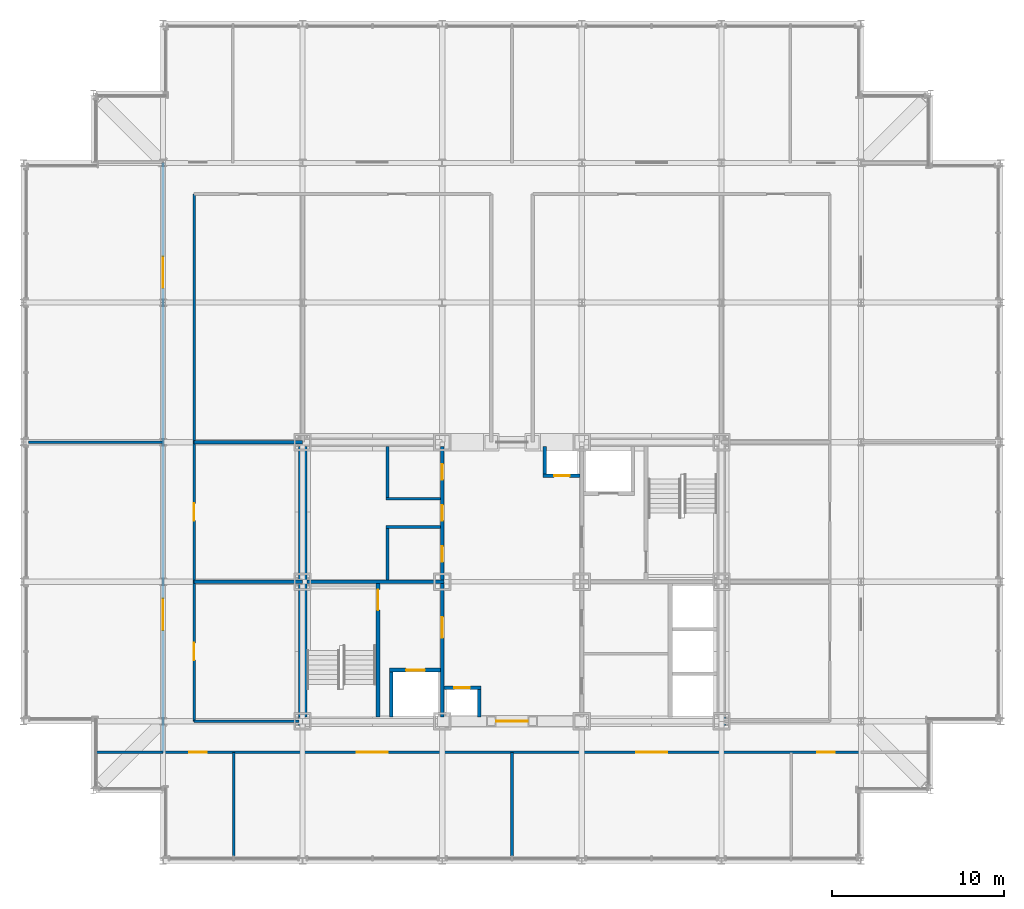
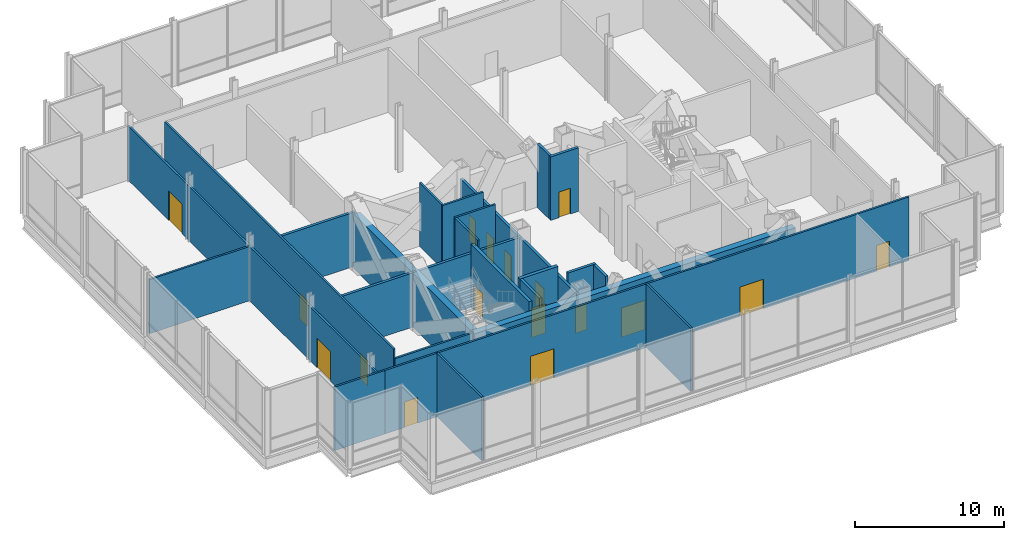
# One storey, part 18 of 21: 26 walls, 17 doors, 17 openings.
"""IFC4 building model written with IfcOpenShell, lengths in metres."""

from ifc_helpers import new_model, si_unit, direction, frame, frame_2d, origin, place, context, subcontext, project, spatial, rectangle, extrude, material, layer, layer_set, type_object, element, fill, save


model = new_model("IFC4")

# Units and contexts
model_context = context("Model", 3, precision=1e-05, world=origin(), true_north=direction((0.0, 1.0)))
body_context = subcontext(model_context, "Body", "Model", "MODEL_VIEW")
ifc_project = project(units=[si_unit("LENGTHUNIT", "METRE"), si_unit("AREAUNIT", "SQUARE_METRE"), si_unit("VOLUMEUNIT", "CUBIC_METRE"), si_unit("PLANEANGLEUNIT", "RADIAN"), si_unit("MASSUNIT", "GRAM", prefix="KILO")], contexts=[model_context])

# Site, building, storey
site_placement = place(None, origin())
site = spatial("IfcSite", under=ifc_project, at=site_placement, CompositionType="ELEMENT")
building_placement = place(site_placement, origin())
building = spatial("IfcBuilding", under=site, at=building_placement, Name="Kopane Lantern Tower", CompositionType="ELEMENT")
storey_placement = place(building_placement, frame((0.0, 0.0, 298.5)))
storey = spatial("IfcBuildingStorey", under=building, at=storey_placement, Name="L76", CompositionType="ELEMENT", Elevation=298.5)

# Wall, opening, door
ifc_material_1 = material(Name="Gypsum shaft wall EI 120", Category="gypsum")
ifc_layer_1 = layer(ifc_material_1, 0.5)
ifc_layer_set_1 = layer_set([ifc_layer_1], Name="CORE PERIMETER WALL 500 EI 120")
wall_type_1 = type_object("IfcWallType", Name="CORE PERIMETER WALL 500 EI 120", PredefinedType="SOLIDWALL", material=ifc_layer_set_1)
wall_1_placement = place(storey_placement, frame((15.949951171875, 24.300048828125, 0.0), z_axis=(0.0, 0.0, 1.0), x_axis=(1.0, 0.0, 0.0)))
wall_1 = element("IfcWall", 1, at=wall_1_placement, inside=storey, type_object=wall_type_1, Name="Core shaft wall L76 PS", PredefinedType="SOLIDWALL", context=body_context, shape_type="SweptSolid", body=[
    extrude(rectangle(XDim=24.800048828125, YDim=0.5, at=frame_2d((12.39990234375, 0.0))), origin(), (0.0, 0.0, 1.0), 4.427734375),
])
opening_1_placement = place(wall_1_placement, frame((11.5, 0.0, 0.0)))
opening_1 = element("IfcOpeningElement", 2, at=opening_1_placement, cuts=wall_1, Name="Opening 76.CE-S", PredefinedType="OPENING", context=body_context, shape_type="SweptSolid", body=[
    extrude(rectangle(XDim=1.800048828125, YDim=2.39990234375, at=frame_2d((0.89990234375, 1.199951171875))), frame((0.0, 0.260009765625, 0.0), z_axis=(0.0, -1.0, 0.0), x_axis=(1.0, 0.0, 0.0)), (0.0, 0.0, 1.0), 0.52001953125),
])
ifc_material_2 = material(Name="Steel door set", Category="steel")
door_type_1 = type_object("IfcDoorType", Name="CORE ENTRY DOOR 1800x2400 FD60S", OperationType="DOUBLE_DOOR_SINGLE_SWING", PredefinedType="DOOR", material=ifc_material_2)
door_1_placement = place(opening_1_placement, origin())
door_1 = element("IfcDoor", 3, at=door_1_placement, inside=storey, type_object=door_type_1, Name="Core entry door L76 south", OperationType="DOUBLE_DOOR_SINGLE_SWING", OverallHeight=2.39990234375, OverallWidth=1.800048828125, PredefinedType="DOOR", context=body_context, shape_type="SweptSolid", body=[
    extrude(rectangle(XDim=1.800048828125, YDim=2.39990234375, at=frame_2d((0.89990234375, 1.199951171875))), frame((0.0, 0.02490234375, 0.0), z_axis=(0.0, -1.0, 0.0), x_axis=(1.0, 0.0, 0.0)), (0.0, 0.0, 1.0), 0.050048828125),
])
fill(opening_1, door_1)

# Walls
wall_2_placement = place(storey_placement, frame((16.199951171875, 24.550048828125, 0.0), z_axis=(0.0, 0.0, 1.0), x_axis=(0.0, 1.0, 0.0)))
element("IfcWall", 4, at=wall_2_placement, inside=storey, type_object=wall_type_1, Name="Core shaft wall L76 PW", PredefinedType="SOLIDWALL", context=body_context, shape_type="SweptSolid", body=[
    extrude(rectangle(XDim=15.699951171875, YDim=0.5, at=frame_2d((7.85009765625, 0.0))), origin(), (0.0, 0.0, 1.0), 4.427734375),
])
ifc_material_3 = material(Name="Gypsum partition EI 60", Category="gypsum")
ifc_layer_2 = layer(ifc_material_3, 0.14990234375)
ifc_layer_set_2 = layer_set([ifc_layer_2], Name="CORE ROOM PARTITION 150 EI 60")
wall_type_2 = type_object("IfcWallType", Name="CORE ROOM PARTITION 150 EI 60", PredefinedType="PARTITIONING", material=ifc_layer_set_2)
for number, where, z_axis, x_axis, name in (
    (5, (21.050048828125, 35.574951171875, 0.0), (0.0, 0.0, 1.0), (1.0, 0.0, 0.0), "Core room partition L76 WW1"),
    (6, (21.050048828125, 37.22509765625, 0.0), (0.0, 0.0, 1.0), (1.0, 0.0, 0.0), "Core room partition L76 WW2"),
):
    element("IfcWall", number, at=place(storey_placement, frame(where, z_axis=z_axis, x_axis=x_axis)), inside=storey, type_object=wall_type_2, Name=name, PredefinedType="PARTITIONING", context=body_context, shape_type="SweptSolid", body=[
        extrude(rectangle(XDim=3.14990234375, YDim=0.14990234375, at=frame_2d((1.574951171875, 0.0))), origin(), (0.0, 0.0, 1.0), 5.18994140625),
    ])
wall_3_placement = place(storey_placement, frame((21.125, 32.5, 0.0), z_axis=(0.0, 0.0, 1.0), x_axis=(0.0, 1.0, 0.0)))
element("IfcWall", 7, at=wall_3_placement, inside=storey, type_object=wall_type_2, Name="Core room partition L76 WWB0", PredefinedType="PARTITIONING", context=body_context, shape_type="SweptSolid", body=[
    extrude(rectangle(XDim=3.0, YDim=0.14990234375, at=frame_2d((1.5, 0.0))), origin(), (0.0, 0.0, 1.0), 5.18994140625),
])
wall_4_placement = place(storey_placement, frame((21.125, 37.300048828125, 0.0), z_axis=(0.0, 0.0, 1.0), x_axis=(0.0, 1.0, 0.0)))
element("IfcWall", 8, at=wall_4_placement, inside=storey, type_object=wall_type_2, Name="Core room partition L76 WWB1", PredefinedType="PARTITIONING", context=body_context, shape_type="SweptSolid", body=[
    extrude(rectangle(XDim=2.949951171875, YDim=0.14990234375, at=frame_2d((1.47509765625, 0.0))), origin(), (0.0, 0.0, 1.0), 5.18994140625),
])

# Wall, openings, doors
ifc_material_4 = material(Name="Gypsum partition EI 60", Category="gypsum")
ifc_layer_3 = layer(ifc_material_4, 0.199951171875)
ifc_layer_set_3 = layer_set([ifc_layer_3], Name="CORE ROOM WALL 200 EI 60")
wall_type_3 = type_object("IfcWallType", Name="CORE ROOM WALL 200 EI 60", PredefinedType="PARTITIONING", material=ifc_layer_set_3)
wall_5_placement = place(storey_placement, frame((24.300048828125, 32.5, 0.0), z_axis=(0.0, 0.0, 1.0), x_axis=(0.0, 1.0, 0.0)))
wall_5 = element("IfcWall", 9, at=wall_5_placement, inside=storey, type_object=wall_type_3, Name="Core room wall L76 XW", PredefinedType="PARTITIONING", context=body_context, shape_type="SweptSolid", body=[
    extrude(rectangle(XDim=7.75, YDim=0.199951171875, at=frame_2d((3.875, 0.0))), origin(), (0.0, 0.0, 1.0), 4.427734375),
])
opening_2_placement = place(wall_5_placement, frame((1.050048828125, 0.0, 0.0)))
opening_2 = element("IfcOpeningElement", 10, at=opening_2_placement, cuts=wall_5, Name="Opening 76.C30", PredefinedType="OPENING", context=body_context, shape_type="SweptSolid", body=[
    extrude(rectangle(XDim=0.89990234375, YDim=2.10009765625, at=frame_2d((0.449951171875, 1.050048828125))), frame((0.0, 0.10986328125, 0.0), z_axis=(0.0, -1.0, 0.0), x_axis=(1.0, 0.0, 0.0)), (0.0, 0.0, 1.0), 0.219970703125),
])
opening_3_placement = place(wall_5_placement, frame((3.449951171875, 0.0, 0.0)))
opening_3 = element("IfcOpeningElement", 11, at=opening_3_placement, cuts=wall_5, Name="Opening 76.C31", PredefinedType="OPENING", context=body_context, shape_type="SweptSolid", body=[
    extrude(rectangle(XDim=0.89990234375, YDim=2.10009765625, at=frame_2d((0.449951171875, 1.050048828125))), frame((0.0, 0.10986328125, 0.0), z_axis=(0.0, -1.0, 0.0), x_axis=(1.0, 0.0, 0.0)), (0.0, 0.0, 1.0), 0.219970703125),
])
opening_4_placement = place(wall_5_placement, frame((5.824951171875, 0.0, 0.0)))
opening_4 = element("IfcOpeningElement", 12, at=opening_4_placement, cuts=wall_5, Name="Opening 76.C32", PredefinedType="OPENING", context=body_context, shape_type="SweptSolid", body=[
    extrude(rectangle(XDim=0.89990234375, YDim=2.10009765625, at=frame_2d((0.449951171875, 1.050048828125))), frame((0.0, 0.10986328125, 0.0), z_axis=(0.0, -1.0, 0.0), x_axis=(1.0, 0.0, 0.0)), (0.0, 0.0, 1.0), 0.219970703125),
])
ifc_material_5 = material(Name="Steel door set", Category="steel")
door_type_2 = type_object("IfcDoorType", Name="CORE ROOM DOOR 900x2100 FD60", OperationType="SINGLE_SWING_LEFT", PredefinedType="DOOR", material=ifc_material_5)
door_2_placement = place(opening_2_placement, origin())
door_2 = element("IfcDoor", 13, at=door_2_placement, inside=storey, type_object=door_type_2, Name="Door Electrical room L76", OperationType="SINGLE_SWING_LEFT", OverallHeight=2.10009765625, OverallWidth=0.89990234375, PredefinedType="DOOR", context=body_context, shape_type="SweptSolid", body=[
    extrude(rectangle(XDim=0.89990234375, YDim=2.10009765625, at=frame_2d((0.449951171875, 1.050048828125))), frame((0.0, 0.02490234375, 0.0), z_axis=(0.0, -1.0, 0.0), x_axis=(1.0, 0.0, 0.0)), (0.0, 0.0, 1.0), 0.050048828125),
])
fill(opening_2, door_2)
door_3_placement = place(opening_3_placement, origin())
door_3 = element("IfcDoor", 14, at=door_3_placement, inside=storey, type_object=door_type_2, Name="Door Water tank room L76", OperationType="SINGLE_SWING_RIGHT", OverallHeight=2.10009765625, OverallWidth=0.89990234375, PredefinedType="DOOR", context=body_context, shape_type="SweptSolid", body=[
    extrude(rectangle(XDim=0.89990234375, YDim=2.10009765625, at=frame_2d((0.449951171875, 1.050048828125))), frame((0.0, 0.02490234375, 0.0), z_axis=(0.0, -1.0, 0.0), x_axis=(1.0, 0.0, 0.0)), (0.0, 0.0, 1.0), 0.050048828125),
])
fill(opening_3, door_3)
door_4_placement = place(opening_4_placement, origin())
door_4 = element("IfcDoor", 15, at=door_4_placement, inside=storey, type_object=door_type_2, Name="Door Pump room L76", OperationType="SINGLE_SWING_LEFT", OverallHeight=2.10009765625, OverallWidth=0.89990234375, PredefinedType="DOOR", context=body_context, shape_type="SweptSolid", body=[
    extrude(rectangle(XDim=0.89990234375, YDim=2.10009765625, at=frame_2d((0.449951171875, 1.050048828125))), frame((0.0, 0.02490234375, 0.0), z_axis=(0.0, -1.0, 0.0), x_axis=(1.0, 0.0, 0.0)), (0.0, 0.0, 1.0), 0.050048828125),
])
fill(opening_4, door_4)

# Wall, opening, door
ifc_material_6 = material(Name="Gypsum shaft wall EI 120", Category="gypsum")
ifc_layer_4 = layer(ifc_material_6, 0.25)
ifc_layer_set_4 = layer_set([ifc_layer_4], Name="CORE SHAFT WALL 250 EI 120")
wall_type_4 = type_object("IfcWallType", Name="CORE SHAFT WALL 250 EI 120", PredefinedType="SOLIDWALL", material=ifc_layer_set_4)
wall_6_placement = place(storey_placement, frame((20.574951171875, 24.550048828125, 0.0), z_axis=(0.0, 0.0, 1.0), x_axis=(0.0, 1.0, 0.0)))
wall_6 = element("IfcWall", 16, at=wall_6_placement, inside=storey, type_object=wall_type_4, Name="Core shaft wall L76 XST1", PredefinedType="SOLIDWALL", context=body_context, shape_type="SweptSolid", body=[
    extrude(rectangle(XDim=7.75, YDim=0.25, at=frame_2d((3.875, 0.0))), origin(), (0.0, 0.0, 1.0), 5.18994140625),
])
opening_5_placement = place(wall_6_placement, frame((6.199951171875, 0.0, 0.0)))
opening_5 = element("IfcOpeningElement", 17, at=opening_5_placement, cuts=wall_6, Name="Opening 76.SD1", PredefinedType="OPENING", context=body_context, shape_type="SweptSolid", body=[
    extrude(rectangle(XDim=1.199951171875, YDim=2.10009765625, at=frame_2d((0.60009765625, 1.050048828125))), frame((0.0, 0.135009765625, 0.0), z_axis=(0.0, -1.0, 0.0), x_axis=(1.0, 0.0, 0.0)), (0.0, 0.0, 1.0), 0.27001953125),
])
ifc_material_7 = material(Name="Steel door set", Category="steel")
door_type_3 = type_object("IfcDoorType", Name="STAIR DOOR 1200x2100 FD60S", OperationType="SINGLE_SWING_LEFT", PredefinedType="DOOR", material=ifc_material_7)
door_5_placement = place(opening_5_placement, origin())
door_5 = element("IfcDoor", 18, at=door_5_placement, inside=storey, type_object=door_type_3, Name="Stair door ST1 L76", OperationType="SINGLE_SWING_LEFT", OverallHeight=2.10009765625, OverallWidth=1.199951171875, PredefinedType="DOOR", context=body_context, shape_type="SweptSolid", body=[
    extrude(rectangle(XDim=1.199951171875, YDim=2.10009765625, at=frame_2d((0.60009765625, 1.050048828125))), frame((0.0, 0.02490234375, 0.0), z_axis=(0.0, -1.0, 0.0), x_axis=(1.0, 0.0, 0.0)), (0.0, 0.0, 1.0), 0.050048828125),
])
fill(opening_5, door_5)

wall_7_placement = place(storey_placement, frame((21.25, 27.27490234375, 0.0), z_axis=(0.0, 0.0, 1.0), x_axis=(1.0, 0.0, 0.0)))
wall_7 = element("IfcWall", 19, at=wall_7_placement, inside=storey, type_object=wall_type_4, Name="Core shaft wall L76 YLF1", PredefinedType="SOLIDWALL", context=body_context, shape_type="SweptSolid", body=[
    extrude(rectangle(XDim=2.949951171875, YDim=0.25, at=frame_2d((1.47509765625, 0.0))), origin(), (0.0, 0.0, 1.0), 5.18994140625),
])
opening_6_placement = place(wall_7_placement, frame((0.949951171875, 0.0, 0.0)))
opening_6 = element("IfcOpeningElement", 20, at=opening_6_placement, cuts=wall_7, Name="Opening 76.LD-LF1", PredefinedType="OPENING", context=body_context, shape_type="SweptSolid", body=[
    extrude(rectangle(XDim=1.10009765625, YDim=2.39990234375, at=frame_2d((0.550048828125, 1.199951171875))), frame((0.0, 0.135009765625, 0.0), z_axis=(0.0, -1.0, 0.0), x_axis=(1.0, 0.0, 0.0)), (0.0, 0.0, 1.0), 0.27001953125),
])
ifc_material_8 = material(Name="Steel door set", Category="steel")
door_type_4 = type_object("IfcDoorType", Name="LIFT LANDING DOOR 1100x2400 FD60", OperationType="DOUBLE_DOOR_SLIDING", PredefinedType="DOOR", material=ifc_material_8)
door_6_placement = place(opening_6_placement, origin())
door_6 = element("IfcDoor", 21, at=door_6_placement, inside=storey, type_object=door_type_4, Name="Landing door LF1 L76", OperationType="DOUBLE_DOOR_SLIDING", OverallHeight=2.39990234375, OverallWidth=1.10009765625, PredefinedType="DOOR", context=body_context, shape_type="SweptSolid", body=[
    extrude(rectangle(XDim=1.10009765625, YDim=2.39990234375, at=frame_2d((0.550048828125, 1.199951171875))), frame((0.0, 0.02490234375, 0.0), z_axis=(0.0, -1.0, 0.0), x_axis=(1.0, 0.0, 0.0)), (0.0, 0.0, 1.0), 0.050048828125),
])
fill(opening_6, door_6)

# Wall, openings, doors
ifc_material_9 = material(Name="Gypsum board on steel studs", Category="steel")
ifc_layer_5 = layer(ifc_material_9, 0.14990234375)
ifc_layer_set_5 = layer_set([ifc_layer_5], Name="CORRIDOR WALL 150 EI 60")
wall_type_5 = type_object("IfcWallType", Name="CORRIDOR WALL 150 EI 60", PredefinedType="PARTITIONING", material=ifc_layer_set_5)
wall_8_placement = place(storey_placement, frame((8.10009765625, 22.5, 0.0), z_axis=(0.0, 0.0, 1.0), x_axis=(1.0, 0.0, 0.0)))
wall_8 = element("IfcWall", 22, at=wall_8_placement, inside=storey, type_object=wall_type_5, Name="Corridor Wall 150 Ei 60 L76", PredefinedType="PARTITIONING", context=body_context, shape_type="SweptSolid", body=[
    extrude(rectangle(XDim=40.5, YDim=0.14990234375, at=frame_2d((20.25, 0.0))), origin(), (0.0, 0.0, 1.0), 5.18994140625),
])
opening_7_placement = place(wall_8_placement, frame((11.25, 0.0, 0.0)))
opening_7 = element("IfcOpeningElement", 23, at=opening_7_placement, cuts=wall_8, Name="Opening L76-009", PredefinedType="OPENING", context=body_context, shape_type="SweptSolid", body=[
    extrude(rectangle(XDim=1.800048828125, YDim=2.39990234375, at=frame_2d((0.89990234375, 1.199951171875))), frame((0.0, 0.0849609375, 0.0), z_axis=(0.0, -1.0, 0.0), x_axis=(1.0, 0.0, 0.0)), (0.0, 0.0, 1.0), 0.169921875),
])
opening_8_placement = place(wall_8_placement, frame((27.449951171875, 0.0, 0.0)))
opening_8 = element("IfcOpeningElement", 24, at=opening_8_placement, cuts=wall_8, Name="Opening L76-010", PredefinedType="OPENING", context=body_context, shape_type="SweptSolid", body=[
    extrude(rectangle(XDim=1.800048828125, YDim=2.39990234375, at=frame_2d((0.89990234375, 1.199951171875))), frame((0.0, 0.0849609375, 0.0), z_axis=(0.0, -1.0, 0.0), x_axis=(1.0, 0.0, 0.0)), (0.0, 0.0, 1.0), 0.169921875),
])
opening_9_placement = place(wall_8_placement, frame((1.52490234375, 0.0, 0.0)))
opening_9 = element("IfcOpeningElement", 25, at=opening_9_placement, cuts=wall_8, Name="Opening L76-017", PredefinedType="OPENING", context=body_context, shape_type="SweptSolid", body=[
    extrude(rectangle(XDim=1.0, YDim=2.10009765625, at=frame_2d((0.5, 1.050048828125))), frame((0.0, 0.0849609375, 0.0), z_axis=(0.0, -1.0, 0.0), x_axis=(1.0, 0.0, 0.0)), (0.0, 0.0, 1.0), 0.169921875),
])
opening_10_placement = place(wall_8_placement, frame((37.97509765625, 0.0, 0.0)))
opening_10 = element("IfcOpeningElement", 26, at=opening_10_placement, cuts=wall_8, Name="Opening L76-018", PredefinedType="OPENING", context=body_context, shape_type="SweptSolid", body=[
    extrude(rectangle(XDim=1.0, YDim=2.10009765625, at=frame_2d((0.5, 1.050048828125))), frame((0.0, 0.0849609375, 0.0), z_axis=(0.0, -1.0, 0.0), x_axis=(1.0, 0.0, 0.0)), (0.0, 0.0, 1.0), 0.169921875),
])
ifc_material_10 = material(Name="Steel door set", Category="steel")
door_type_5 = type_object("IfcDoorType", Name="DOOR D5 1000x2100 FD60", OperationType="SINGLE_SWING_LEFT", PredefinedType="DOOR", material=ifc_material_10)
door_7_placement = place(opening_9_placement, origin())
door_7 = element("IfcDoor", 27, at=door_7_placement, inside=storey, type_object=door_type_5, Name="Door L76-017", OperationType="SINGLE_SWING_LEFT", OverallHeight=2.10009765625, OverallWidth=1.0, PredefinedType="DOOR", context=body_context, shape_type="SweptSolid", body=[
    extrude(rectangle(XDim=1.0, YDim=2.10009765625, at=frame_2d((0.5, 1.050048828125))), frame((0.0, 0.02490234375, 0.0), z_axis=(0.0, -1.0, 0.0), x_axis=(1.0, 0.0, 0.0)), (0.0, 0.0, 1.0), 0.050048828125),
])
fill(opening_9, door_7)
door_8_placement = place(opening_10_placement, origin())
door_8 = element("IfcDoor", 28, at=door_8_placement, inside=storey, type_object=door_type_5, Name="Door L76-018", OperationType="SINGLE_SWING_RIGHT", OverallHeight=2.10009765625, OverallWidth=1.0, PredefinedType="DOOR", context=body_context, shape_type="SweptSolid", body=[
    extrude(rectangle(XDim=1.0, YDim=2.10009765625, at=frame_2d((0.5, 1.050048828125))), frame((0.0, 0.02490234375, 0.0), z_axis=(0.0, -1.0, 0.0), x_axis=(1.0, 0.0, 0.0)), (0.0, 0.0, 1.0), 0.050048828125),
])
fill(opening_10, door_8)
ifc_material_11 = material(Name="Steel door set", Category="steel")
door_type_6 = type_object("IfcDoorType", Name="DOOR D8 1800x2400 FD120", OperationType="SINGLE_SWING_LEFT", PredefinedType="DOOR", material=ifc_material_11)
door_9_placement = place(opening_7_placement, origin())
door_9 = element("IfcDoor", 29, at=door_9_placement, inside=storey, type_object=door_type_6, Name="Door L76-009", OperationType="DOUBLE_DOOR_SINGLE_SWING", OverallHeight=2.39990234375, OverallWidth=1.800048828125, PredefinedType="DOOR", context=body_context, shape_type="SweptSolid", body=[
    extrude(rectangle(XDim=1.800048828125, YDim=2.39990234375, at=frame_2d((0.89990234375, 1.199951171875))), frame((0.0, 0.02490234375, 0.0), z_axis=(0.0, -1.0, 0.0), x_axis=(1.0, 0.0, 0.0)), (0.0, 0.0, 1.0), 0.050048828125),
])
fill(opening_7, door_9)
door_10_placement = place(opening_8_placement, origin())
door_10 = element("IfcDoor", 30, at=door_10_placement, inside=storey, type_object=door_type_6, Name="Door L76-010", OperationType="DOUBLE_DOOR_SINGLE_SWING", OverallHeight=2.39990234375, OverallWidth=1.800048828125, PredefinedType="DOOR", context=body_context, shape_type="SweptSolid", body=[
    extrude(rectangle(XDim=1.800048828125, YDim=2.39990234375, at=frame_2d((0.89990234375, 1.199951171875))), frame((0.0, 0.02490234375, 0.0), z_axis=(0.0, -1.0, 0.0), x_axis=(1.0, 0.0, 0.0)), (0.0, 0.0, 1.0), 0.050048828125),
])
fill(opening_8, door_10)

wall_9_placement = place(storey_placement, frame((8.10009765625, 22.5, 0.0), z_axis=(0.0, 0.0, 1.0), x_axis=(0.0, 1.0, 0.0)))
wall_9 = element("IfcWall", 31, at=wall_9_placement, inside=storey, type_object=wall_type_5, Name="Corridor Wall 150 Ei 60 L76", PredefinedType="PARTITIONING", context=body_context, shape_type="SweptSolid", body=[
    extrude(rectangle(XDim=34.239990234375, YDim=0.14990234375, at=frame_2d((17.1201171875, 0.0))), origin(), (0.0, 0.0, 1.0), 4.427734375),
])
opening_11_placement = place(wall_9_placement, frame((7.10009765625, 0.0, 0.0)))
opening_11 = element("IfcOpeningElement", 32, at=opening_11_placement, cuts=wall_9, Name="Opening L76-013", PredefinedType="OPENING", context=body_context, shape_type="SweptSolid", body=[
    extrude(rectangle(XDim=1.800048828125, YDim=2.39990234375, at=frame_2d((0.89990234375, 1.199951171875))), frame((0.0, 0.0849609375, 0.0), z_axis=(0.0, -1.0, 0.0), x_axis=(1.0, 0.0, 0.0)), (0.0, 0.0, 1.0), 0.169921875),
])
opening_12_placement = place(wall_9_placement, frame((26.949951171875, 0.0, 0.0)))
opening_12 = element("IfcOpeningElement", 33, at=opening_12_placement, cuts=wall_9, Name="Opening L76-014", PredefinedType="OPENING", context=body_context, shape_type="SweptSolid", body=[
    extrude(rectangle(XDim=1.800048828125, YDim=2.39990234375, at=frame_2d((0.89990234375, 1.199951171875))), frame((0.0, 0.0849609375, 0.0), z_axis=(0.0, -1.0, 0.0), x_axis=(1.0, 0.0, 0.0)), (0.0, 0.0, 1.0), 0.169921875),
])
door_11_placement = place(opening_11_placement, origin())
door_11 = element("IfcDoor", 34, at=door_11_placement, inside=storey, type_object=door_type_6, Name="Door L76-013", OperationType="DOUBLE_DOOR_SINGLE_SWING", OverallHeight=2.39990234375, OverallWidth=1.800048828125, PredefinedType="DOOR", context=body_context, shape_type="SweptSolid", body=[
    extrude(rectangle(XDim=1.800048828125, YDim=2.39990234375, at=frame_2d((0.89990234375, 1.199951171875))), frame((0.0, 0.02490234375, 0.0), z_axis=(0.0, -1.0, 0.0), x_axis=(1.0, 0.0, 0.0)), (0.0, 0.0, 1.0), 0.050048828125),
])
fill(opening_11, door_11)
door_12_placement = place(opening_12_placement, origin())
door_12 = element("IfcDoor", 35, at=door_12_placement, inside=storey, type_object=door_type_6, Name="Door L76-014", OperationType="DOUBLE_DOOR_SINGLE_SWING", OverallHeight=2.39990234375, OverallWidth=1.800048828125, PredefinedType="DOOR", context=body_context, shape_type="SweptSolid", body=[
    extrude(rectangle(XDim=1.800048828125, YDim=2.39990234375, at=frame_2d((0.89990234375, 1.199951171875))), frame((0.0, 0.02490234375, 0.0), z_axis=(0.0, -1.0, 0.0), x_axis=(1.0, 0.0, 0.0)), (0.0, 0.0, 1.0), 0.050048828125),
])
fill(opening_12, door_12)

wall_10_placement = place(storey_placement, frame((9.89990234375, 54.89990234375, 0.0), z_axis=(0.0, 0.0, 1.0), x_axis=(0.0, -1.0, 0.0)))
wall_10 = element("IfcWall", 36, at=wall_10_placement, inside=storey, type_object=wall_type_5, Name="Corridor Wall 150 Ei 60 L76", PredefinedType="PARTITIONING", context=body_context, shape_type="SweptSolid", body=[
    extrude(rectangle(XDim=30.599853515625, YDim=0.14990234375, at=frame_2d((15.2998046875, 0.0))), origin(), (0.0, 0.0, 1.0), 5.18994140625),
])
opening_13_placement = place(wall_10_placement, frame((26.050048828125, 0.0, 0.0)))
opening_13 = element("IfcOpeningElement", 37, at=opening_13_placement, cuts=wall_10, Name="Opening L76-001", PredefinedType="OPENING", context=body_context, shape_type="SweptSolid", body=[
    extrude(rectangle(XDim=1.0, YDim=2.10009765625, at=frame_2d((0.5, 1.050048828125))), frame((0.0, 0.0849609375, 0.0), z_axis=(0.0, -1.0, 0.0), x_axis=(1.0, 0.0, 0.0)), (0.0, 0.0, 1.0), 0.169921875),
])
opening_14_placement = place(wall_10_placement, frame((17.949951171875, 0.0, 0.0)))
opening_14 = element("IfcOpeningElement", 38, at=opening_14_placement, cuts=wall_10, Name="Opening L76-002", PredefinedType="OPENING", context=body_context, shape_type="SweptSolid", body=[
    extrude(rectangle(XDim=1.0, YDim=2.10009765625, at=frame_2d((0.5, 1.050048828125))), frame((0.0, 0.0849609375, 0.0), z_axis=(0.0, -1.0, 0.0), x_axis=(1.0, 0.0, 0.0)), (0.0, 0.0, 1.0), 0.169921875),
])
door_13_placement = place(opening_13_placement, origin())
door_13 = element("IfcDoor", 39, at=door_13_placement, inside=storey, type_object=door_type_5, Name="Door L76-001", OperationType="SINGLE_SWING_RIGHT", OverallHeight=2.10009765625, OverallWidth=1.0, PredefinedType="DOOR", context=body_context, shape_type="SweptSolid", body=[
    extrude(rectangle(XDim=1.0, YDim=2.10009765625, at=frame_2d((0.5, 1.050048828125))), frame((0.0, 0.02490234375, 0.0), z_axis=(0.0, -1.0, 0.0), x_axis=(1.0, 0.0, 0.0)), (0.0, 0.0, 1.0), 0.050048828125),
])
fill(opening_13, door_13)
door_14_placement = place(opening_14_placement, origin())
door_14 = element("IfcDoor", 40, at=door_14_placement, inside=storey, type_object=door_type_5, Name="Door L76-002", OperationType="SINGLE_SWING_LEFT", OverallHeight=2.10009765625, OverallWidth=1.0, PredefinedType="DOOR", context=body_context, shape_type="SweptSolid", body=[
    extrude(rectangle(XDim=1.0, YDim=2.10009765625, at=frame_2d((0.5, 1.050048828125))), frame((0.0, 0.02490234375, 0.0), z_axis=(0.0, -1.0, 0.0), x_axis=(1.0, 0.0, 0.0)), (0.0, 0.0, 1.0), 0.050048828125),
])
fill(opening_14, door_14)

# Walls
wall_11_placement = place(storey_placement, frame((9.89990234375, 24.300048828125, 0.0), z_axis=(0.0, 0.0, 1.0), x_axis=(1.0, 0.0, 0.0)))
element("IfcWall", 41, at=wall_11_placement, inside=storey, type_object=wall_type_5, Name="Corridor Wall 150 Ei 60 L76", PredefinedType="PARTITIONING", context=body_context, shape_type="SweptSolid", body=[
    extrude(rectangle(XDim=6.10009765625, YDim=0.14990234375, at=frame_2d((3.050048828125, 0.0))), origin(), (0.0, 0.0, 1.0), 4.427734375),
])
ifc_material_12 = material(Name="Gypsum board on steel studs", Category="steel")
ifc_layer_6 = layer(ifc_material_12, 0.14990234375)
ifc_layer_set_6 = layer_set([ifc_layer_6], Name="DEMISING WALL 150 EI 60")
wall_type_6 = type_object("IfcWallType", Name="DEMISING WALL 150 EI 60", PredefinedType="PARTITIONING", material=ifc_layer_set_6)
wall_12_placement = place(storey_placement, frame((28.35009765625, 22.5, 0.0), z_axis=(0.0, 0.0, 1.0), x_axis=(0.0, -1.0, 0.0)))
element("IfcWall", 42, at=wall_12_placement, inside=storey, type_object=wall_type_6, Name="Demising Wall 150 Ei 60 L76", PredefinedType="PARTITIONING", context=body_context, shape_type="SweptSolid", body=[
    extrude(rectangle(XDim=6.007080078125, YDim=0.14990234375, at=frame_2d((3.00341796875, 0.0))), origin(), (0.0, 0.0, 1.0), 5.18994140625),
])
wall_13_placement = place(storey_placement, frame((8.10009765625, 40.5, 0.0), z_axis=(0.0, 0.0, 1.0), x_axis=(-1.0, 0.0, 0.0)))
element("IfcWall", 43, at=wall_13_placement, inside=storey, type_object=wall_type_6, Name="Demising Wall 150 Ei 60 L76", PredefinedType="PARTITIONING", context=body_context, shape_type="SweptSolid", body=[
    extrude(rectangle(XDim=7.800048828125, YDim=0.14990234375, at=frame_2d((3.89990234375, 0.0))), origin(), (0.0, 0.0, 1.0), 4.427734375),
])
wall_14_placement = place(storey_placement, frame((4.222900390625, 22.5, 0.0), z_axis=(0.0, 0.0, 1.0), x_axis=(1.0, 0.0, 0.0)))
element("IfcWall", 44, at=wall_14_placement, inside=storey, type_object=wall_type_6, Name="Demising Wall 150 Ei 60 L76", PredefinedType="PARTITIONING", context=body_context, shape_type="SweptSolid", body=[
    extrude(rectangle(XDim=3.877197265625, YDim=0.14990234375, at=frame_2d((1.9384765625, 0.0))), origin(), (0.0, 0.0, 1.0), 5.18994140625),
])
wall_15_placement = place(storey_placement, frame((12.19775390625, 22.5, 0.0), z_axis=(0.0, 0.0, 1.0), x_axis=(0.0, -1.0, 0.0)))
element("IfcWall", 45, at=wall_15_placement, inside=storey, type_object=wall_type_6, Name="Demising Wall 150 Ei 60 L76", PredefinedType="PARTITIONING", context=body_context, shape_type="SweptSolid", body=[
    extrude(rectangle(XDim=6.007080078125, YDim=0.14990234375, at=frame_2d((3.00341796875, 0.0))), origin(), (0.0, 0.0, 1.0), 5.18994140625),
])
ifc_material_13 = material(Name="Concrete masonry", Category="masonry")
ifc_layer_7 = layer(ifc_material_13, 0.199951171875)
ifc_layer_set_7 = layer_set([ifc_layer_7], Name="PLANT ROOM WALL 200 EI 120")
wall_type_7 = type_object("IfcWallType", Name="PLANT ROOM WALL 200 EI 120", PredefinedType="SOLIDWALL", material=ifc_layer_set_7)
for number, where, z_axis, x_axis, name in (
    (46, (9.89990234375, 32.39990234375, 0.0), (0.0, 0.0, 1.0), (1.0, 0.0, 0.0), "Plant Room Wall 200 Ei 120 L76"),
    (47, (9.89990234375, 40.5, 0.0), (0.0, 0.0, 1.0), (1.0, 0.0, 0.0), "Plant Room Wall 200 Ei 120 L76"),
):
    element("IfcWall", number, at=place(storey_placement, frame(where, z_axis=z_axis, x_axis=x_axis)), inside=storey, type_object=wall_type_7, Name=name, PredefinedType="SOLIDWALL", context=body_context, shape_type="SweptSolid", body=[
        extrude(rectangle(XDim=6.300048828125, YDim=0.199951171875, at=frame_2d((3.14990234375, 0.0))), origin(), (0.0, 0.0, 1.0), 4.427734375),
    ])
ifc_material_14 = material(Name="Gypsum shaft wall EI 120", Category="gypsum")
ifc_layer_8 = layer(ifc_material_14, 0.199951171875)
ifc_layer_set_8 = layer_set([ifc_layer_8], Name="SHAFT WALL 200 EI 120")
wall_type_8 = type_object("IfcWallType", Name="SHAFT WALL 200 EI 120", PredefinedType="SOLIDWALL", material=ifc_layer_set_8)
wall_16_placement = place(storey_placement, frame((16.449951171875, 32.39990234375, 0.0), z_axis=(0.0, 0.0, 1.0), x_axis=(1.0, 0.0, 0.0)))
element("IfcWall", 48, at=wall_16_placement, inside=storey, type_object=wall_type_8, Name="Core shaft wall L76 Y324W", PredefinedType="SOLIDWALL", context=body_context, shape_type="SweptSolid", body=[
    extrude(rectangle(XDim=7.949951171875, YDim=0.199951171875, at=frame_2d((3.97509765625, 0.0))), origin(), (0.0, 0.0, 1.0), 4.427734375),
])

# Wall, opening, door
wall_17_placement = place(storey_placement, frame((24.300048828125, 24.550048828125, 0.0), z_axis=(0.0, 0.0, 1.0), x_axis=(0.0, 1.0, 0.0)))
wall_17 = element("IfcWall", 49, at=wall_17_placement, inside=storey, type_object=wall_type_8, Name="Core shaft wall L76 X243", PredefinedType="SOLIDWALL", context=body_context, shape_type="SweptSolid", body=[
    extrude(rectangle(XDim=7.75, YDim=0.199951171875, at=frame_2d((3.875, 0.0))), origin(), (0.0, 0.0, 1.0), 4.427734375),
])
opening_15_placement = place(wall_17_placement, frame((4.60009765625, 0.0, 0.0)))
opening_15 = element("IfcOpeningElement", 50, at=opening_15_placement, cuts=wall_17, Name="Opening 76.FL1", PredefinedType="OPENING", context=body_context, shape_type="SweptSolid", body=[
    extrude(rectangle(XDim=1.199951171875, YDim=2.10009765625, at=frame_2d((0.60009765625, 1.050048828125))), frame((0.0, 0.10986328125, 0.0), z_axis=(0.0, -1.0, 0.0), x_axis=(1.0, 0.0, 0.0)), (0.0, 0.0, 1.0), 0.219970703125),
])
ifc_material_15 = material(Name="Steel door set", Category="steel")
door_type_7 = type_object("IfcDoorType", Name="FIREFIGHTING LOBBY DOOR 1200x2100 FD60S", OperationType="SINGLE_SWING_RIGHT", PredefinedType="DOOR", material=ifc_material_15)
door_15_placement = place(opening_15_placement, origin())
door_15 = element("IfcDoor", 51, at=door_15_placement, inside=storey, type_object=door_type_7, Name="Firefighting lobby door FL1 L76", OperationType="SINGLE_SWING_LEFT", OverallHeight=2.10009765625, OverallWidth=1.199951171875, PredefinedType="DOOR", context=body_context, shape_type="SweptSolid", body=[
    extrude(rectangle(XDim=1.199951171875, YDim=2.10009765625, at=frame_2d((0.60009765625, 1.050048828125))), frame((0.0, 0.02490234375, 0.0), z_axis=(0.0, -1.0, 0.0), x_axis=(1.0, 0.0, 0.0)), (0.0, 0.0, 1.0), 0.050048828125),
])
fill(opening_15, door_15)

# Walls
wall_18_placement = place(storey_placement, frame((21.35009765625, 24.550048828125, 0.0), z_axis=(0.0, 0.0, 1.0), x_axis=(0.0, 1.0, 0.0)))
element("IfcWall", 52, at=wall_18_placement, inside=storey, type_object=wall_type_8, Name="Core shaft wall L76 XLF1", PredefinedType="SOLIDWALL", context=body_context, shape_type="SweptSolid", body=[
    extrude(rectangle(XDim=2.599853515625, YDim=0.199951171875, at=frame_2d((1.2998046875, 0.0))), origin(), (0.0, 0.0, 1.0), 5.18994140625),
])
wall_19_placement = place(storey_placement, frame((26.449951171875, 24.550048828125, 0.0), z_axis=(0.0, 0.0, 1.0), x_axis=(0.0, 1.0, 0.0)))
element("IfcWall", 53, at=wall_19_placement, inside=storey, type_object=wall_type_8, Name="Core shaft wall L76 XRS1", PredefinedType="SOLIDWALL", context=body_context, shape_type="SweptSolid", body=[
    extrude(rectangle(XDim=1.599853515625, YDim=0.199951171875, at=frame_2d((0.7998046875, 0.0))), origin(), (0.0, 0.0, 1.0), 5.18994140625),
])

# Wall, opening, door
wall_20_placement = place(storey_placement, frame((24.39990234375, 26.25, 0.0), z_axis=(0.0, 0.0, 1.0), x_axis=(1.0, 0.0, 0.0)))
wall_20 = element("IfcWall", 54, at=wall_20_placement, inside=storey, type_object=wall_type_8, Name="Core shaft wall L76 YRS1", PredefinedType="SOLIDWALL", context=body_context, shape_type="SweptSolid", body=[
    extrude(rectangle(XDim=2.150146484375, YDim=0.199951171875, at=frame_2d((1.0751953125, 0.0))), origin(), (0.0, 0.0, 1.0), 5.18994140625),
])
opening_16_placement = place(wall_20_placement, frame((0.60009765625, 0.0, 0.0)))
opening_16 = element("IfcOpeningElement", 55, at=opening_16_placement, cuts=wall_20, Name="Opening 76.RS1", PredefinedType="OPENING", context=body_context, shape_type="SweptSolid", body=[
    extrude(rectangle(XDim=0.89990234375, YDim=2.10009765625, at=frame_2d((0.449951171875, 1.050048828125))), frame((0.0, 0.10986328125, 0.0), z_axis=(0.0, -1.0, 0.0), x_axis=(1.0, 0.0, 0.0)), (0.0, 0.0, 1.0), 0.219970703125),
])
ifc_material_16 = material(Name="Steel door set", Category="steel")
door_type_8 = type_object("IfcDoorType", Name="RISER ACCESS DOOR 900x2100 FD60", OperationType="SINGLE_SWING_LEFT", PredefinedType="DOOR", material=ifc_material_16)
door_16_placement = place(opening_16_placement, origin())
door_16 = element("IfcDoor", 56, at=door_16_placement, inside=storey, type_object=door_type_8, Name="Riser access door RS1 L76", OperationType="SINGLE_SWING_LEFT", OverallHeight=2.10009765625, OverallWidth=0.89990234375, PredefinedType="DOOR", context=body_context, shape_type="SweptSolid", body=[
    extrude(rectangle(XDim=0.89990234375, YDim=2.10009765625, at=frame_2d((0.449951171875, 1.050048828125))), frame((0.0, 0.02490234375, 0.0), z_axis=(0.0, -1.0, 0.0), x_axis=(1.0, 0.0, 0.0)), (0.0, 0.0, 1.0), 0.050048828125),
])
fill(opening_16, door_16)

# Wall
wall_21_placement = place(storey_placement, frame((30.25, 38.64990234375, 0.0), z_axis=(0.0, 0.0, 1.0), x_axis=(0.0, 1.0, 0.0)))
element("IfcWall", 57, at=wall_21_placement, inside=storey, type_object=wall_type_8, Name="Core shaft wall L76 XRS2", PredefinedType="SOLIDWALL", context=body_context, shape_type="SweptSolid", body=[
    extrude(rectangle(XDim=1.60009765625, YDim=0.199951171875, at=frame_2d((0.800048828125, 0.0))), origin(), (0.0, 0.0, 1.0), 5.18994140625),
])

# Wall, opening, door
wall_22_placement = place(storey_placement, frame((30.14990234375, 38.550048828125, 0.0), z_axis=(0.0, 0.0, 1.0), x_axis=(1.0, 0.0, 0.0)))
wall_22 = element("IfcWall", 58, at=wall_22_placement, inside=storey, type_object=wall_type_8, Name="Core shaft wall L76 YRS2", PredefinedType="SOLIDWALL", context=body_context, shape_type="SweptSolid", body=[
    extrude(rectangle(XDim=2.150146484375, YDim=0.199951171875, at=frame_2d((1.0751953125, 0.0))), origin(), (0.0, 0.0, 1.0), 5.18994140625),
])
opening_17_placement = place(wall_22_placement, frame((0.64990234375, 0.0, 0.0)))
opening_17 = element("IfcOpeningElement", 59, at=opening_17_placement, cuts=wall_22, Name="Opening 76.RS2", PredefinedType="OPENING", context=body_context, shape_type="SweptSolid", body=[
    extrude(rectangle(XDim=0.89990234375, YDim=2.10009765625, at=frame_2d((0.449951171875, 1.050048828125))), frame((0.0, 0.10986328125, 0.0), z_axis=(0.0, -1.0, 0.0), x_axis=(1.0, 0.0, 0.0)), (0.0, 0.0, 1.0), 0.219970703125),
])
door_17_placement = place(opening_17_placement, origin())
door_17 = element("IfcDoor", 60, at=door_17_placement, inside=storey, type_object=door_type_8, Name="Riser access door RS2 L76", OperationType="SINGLE_SWING_LEFT", OverallHeight=2.10009765625, OverallWidth=0.89990234375, PredefinedType="DOOR", context=body_context, shape_type="SweptSolid", body=[
    extrude(rectangle(XDim=0.89990234375, YDim=2.10009765625, at=frame_2d((0.449951171875, 1.050048828125))), frame((0.0, 0.02490234375, 0.0), z_axis=(0.0, -1.0, 0.0), x_axis=(1.0, 0.0, 0.0)), (0.0, 0.0, 1.0), 0.050048828125),
])
fill(opening_17, door_17)

save(model, "model.ifc")
